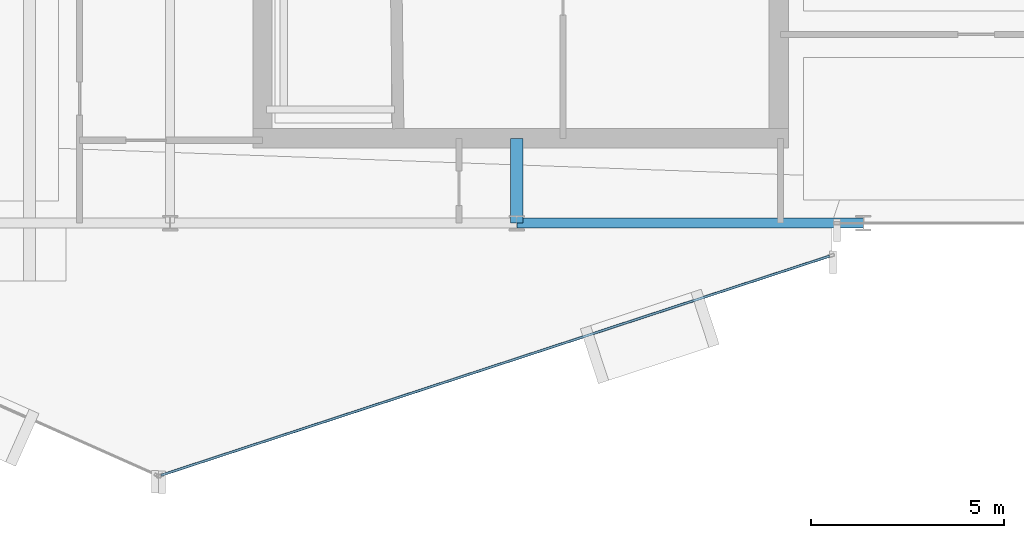
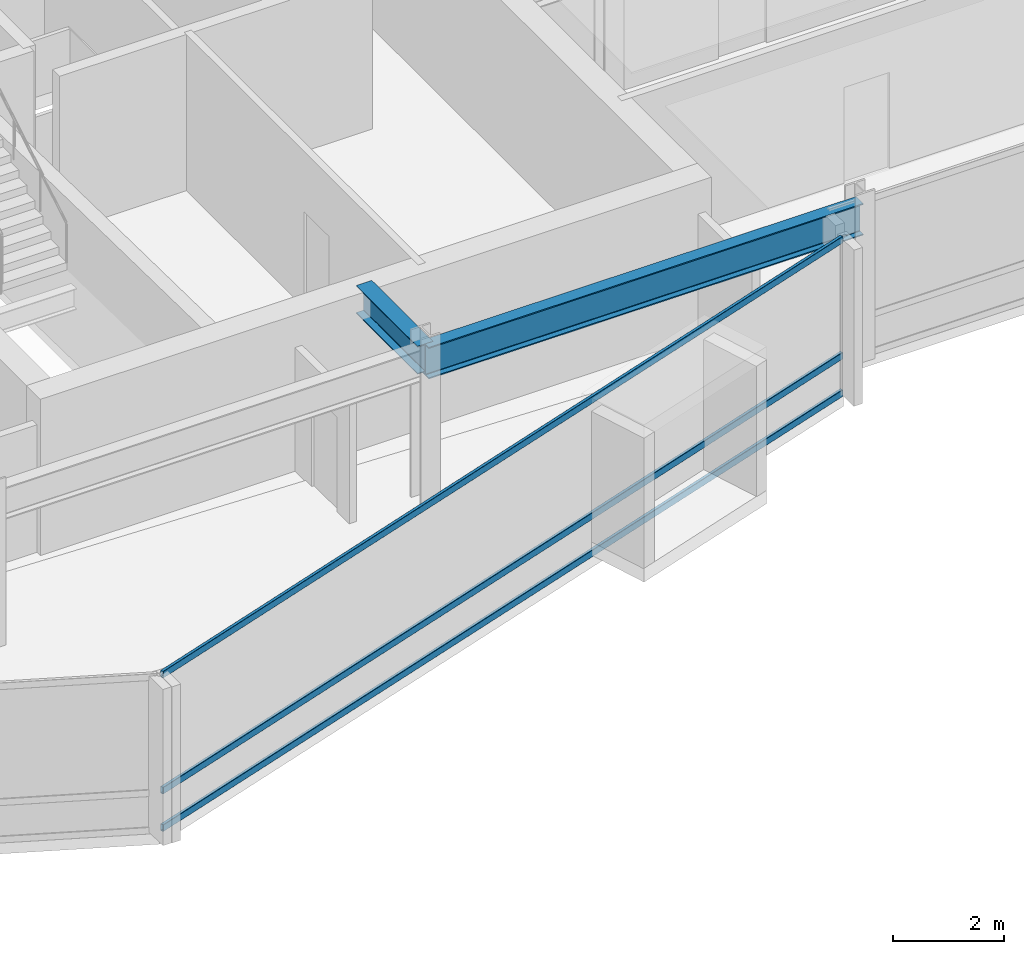
# One storey, part 9 of 28: 3 members, 2 beams, 1 element without a shape of its own.
"""IFC4 building model written with IfcOpenShell, lengths in metres."""

from ifc_helpers import new_model, si_unit, direction, frame, origin, origin_2d, place, context, subcontext, project, spatial, hollow_rectangle, i_section, extrude, material, layer, layer_set, material_profile, profile_set, type_object, element, aggregate, save


model = new_model("IFC4")

# Units and contexts
model_context = context("Model", 3, precision=1e-05, world=origin(), true_north=direction((0.0, 1.0)))
body_context = subcontext(model_context, "Body", "Model", "MODEL_VIEW")
ifc_project = project(units=[si_unit("LENGTHUNIT", "METRE"), si_unit("AREAUNIT", "SQUARE_METRE"), si_unit("VOLUMEUNIT", "CUBIC_METRE"), si_unit("PLANEANGLEUNIT", "RADIAN"), si_unit("MASSUNIT", "GRAM", prefix="KILO")], contexts=[model_context])

# Site, building, storey
site_placement = place(None, origin())
site = spatial("IfcSite", under=ifc_project, at=site_placement, CompositionType="ELEMENT")
building_placement = place(site_placement, origin())
building = spatial("IfcBuilding", under=site, at=building_placement, Name="Solvaryn Broadcast Tower", CompositionType="ELEMENT")
storey_placement = place(building_placement, frame((0.0, 0.0, 217.300048828125)))
storey = spatial("IfcBuildingStorey", under=building, at=storey_placement, Name="L54", CompositionType="ELEMENT", Elevation=217.300048828125)

# Beams
ifc_material_1 = material(Name="Steel ASTM A992 Grade 50", Category="steel")
ifc_material_profile_1 = material_profile(ifc_material_1, i_section(OverallWidth=0.323974609375, OverallDepth=0.611083984375, WebThickness=0.0126953125, FlangeThickness=0.01904296875, FilletRadius=0.014892578125, at=origin_2d()))
ifc_profile_set_1 = profile_set([ifc_material_profile_1], Name="Steel ASTM A992 Grade 50")
beam_type_1 = type_object("IfcBeamType", Name="BM-B1-W24X104", PredefinedType="BEAM", material=ifc_profile_set_1)
beam_1_placement = place(storey_placement, frame((36.0, 9.0, 3.114501953125), z_axis=(0.0, 1.0, 0.0), x_axis=(-1.0, 0.0, 0.0)))
element("IfcBeam", 1, at=beam_1_placement, inside=storey, type_object=beam_type_1, Name="L54 Core Tie Beam CTE1", PredefinedType="BEAM", context=body_context, shape_type="SweptSolid", body=[
    extrude(i_section(OverallWidth=0.323974609375, OverallDepth=0.611083984375, WebThickness=0.0126953125, FlangeThickness=0.01904296875, FilletRadius=0.014892578125, at=origin_2d()), origin(), (0.0, 0.0, 1.0), 2.199951171875),
])
ifc_material_2 = material(Name="Steel ASTM A992 Grade 50", Category="steel")
ifc_material_profile_2 = material_profile(ifc_material_2, i_section(OverallWidth=0.256103515625, OverallDepth=0.693115234375, WebThickness=0.014404296875, FlangeThickness=0.023681640625, FilletRadius=0.01611328125, at=origin_2d()))
ifc_profile_set_2 = profile_set([ifc_material_profile_2], Name="Steel ASTM A992 Grade 50")
beam_type_2 = type_object("IfcBeamType", Name="BM-SP3-W27X114", PredefinedType="USERDEFINED", material=ifc_profile_set_2)
beam_2_placement = place(storey_placement, frame((36.0, 9.0, 3.073486328125), z_axis=(1.0, 0.0, 0.0), x_axis=(0.0, 1.0, 0.0)))
element("IfcBeam", 2, at=beam_2_placement, inside=storey, type_object=beam_type_2, Name="L54 Spandrel Beam X (36-45 @ Y=9)", ObjectType="SPANDREL", PredefinedType="USERDEFINED", context=body_context, shape_type="SweptSolid", body=[
    extrude(i_section(OverallWidth=0.256103515625, OverallDepth=0.693115234375, WebThickness=0.014404296875, FlangeThickness=0.023681640625, FilletRadius=0.01611328125, at=origin_2d()), origin(), (0.0, 0.0, 1.0), 9.0),
])

# Curtain wall, members
ifc_material_3 = material(Name="Aluminium and Terracotta Unitised Curtain Wall", Category="masonry")
ifc_layer = layer(ifc_material_3, 0.199951171875)
ifc_layer_set = layer_set([ifc_layer], Name="CW-SYS2-LOWMID")
curtain_wall_type = type_object("IfcCurtainWallType", Name="CW-SYS2-LOWMID", PredefinedType="NOTDEFINED", material=ifc_layer_set)
curtain_wall_placement = place(storey_placement, origin())
curtain_wall = element("IfcCurtainWall", 3, at=curtain_wall_placement, inside=storey, type_object=curtain_wall_type, Name="L54 Curtain Wall DR4", PredefinedType="NOTDEFINED")
ifc_material_4 = material(Name="Anodised Aluminium 6063-T6", Category="aluminium")
ifc_material_profile_3 = material_profile(ifc_material_4, hollow_rectangle(XDim=0.06494140625, YDim=0.14990234375, WallThickness=0.00390625, InnerFilletRadius=0.00390625, OuterFilletRadius=0.008056640625, at=origin_2d()))
ifc_profile_set_3 = profile_set([ifc_material_profile_3], Name="Anodised Aluminium 6063-T6")
member_type = type_object("IfcMemberType", Name="CW-TRN-150", PredefinedType="USERDEFINED", material=ifc_profile_set_3)
member_1_placement = place(storey_placement, frame((26.762939453125, 2.45166015625, 0.030029296875), z_axis=(0.950227141586, 0.311557987209, 0.0), x_axis=(-0.311557987209, 0.950227141586, 0.0)))
member_1 = element("IfcMember", 4, at=member_1_placement, type_object=member_type, Name="CWS2 transom 1.1", ObjectType="TRANSOM", PredefinedType="USERDEFINED", context=body_context, shape_type="SweptSolid", body=[
    extrude(hollow_rectangle(XDim=0.06494140625, YDim=0.14990234375, WallThickness=0.00390625, InnerFilletRadius=0.00390625, OuterFilletRadius=0.008056640625, at=origin_2d()), origin(), (0.0, 0.0, 1.0), 18.271484375),
])
member_2_placement = place(storey_placement, frame((26.762939453125, 2.45166015625, 0.849853515625), z_axis=(0.950227141586, 0.311557987209, 0.0), x_axis=(-0.311557987209, 0.950227141586, 0.0)))
member_2 = element("IfcMember", 5, at=member_2_placement, type_object=member_type, Name="CWS2 transom 1.2", ObjectType="TRANSOM", PredefinedType="USERDEFINED", context=body_context, shape_type="SweptSolid", body=[
    extrude(hollow_rectangle(XDim=0.06494140625, YDim=0.14990234375, WallThickness=0.00390625, InnerFilletRadius=0.00390625, OuterFilletRadius=0.008056640625, at=origin_2d()), origin(), (0.0, 0.0, 1.0), 18.271484375),
])
member_3_placement = place(storey_placement, frame((26.762939453125, 2.45166015625, 3.389892578125), z_axis=(0.950227141586, 0.311557987209, 0.0), x_axis=(-0.311557987209, 0.950227141586, 0.0)))
member_3 = element("IfcMember", 6, at=member_3_placement, type_object=member_type, Name="CWS2 transom 1.3", ObjectType="TRANSOM", PredefinedType="USERDEFINED", context=body_context, shape_type="SweptSolid", body=[
    extrude(hollow_rectangle(XDim=0.06494140625, YDim=0.14990234375, WallThickness=0.00390625, InnerFilletRadius=0.00390625, OuterFilletRadius=0.008056640625, at=origin_2d()), origin(), (0.0, 0.0, 1.0), 18.271484375),
])
aggregate(curtain_wall, [member_1, member_2, member_3])

save(model, "model.ifc")
